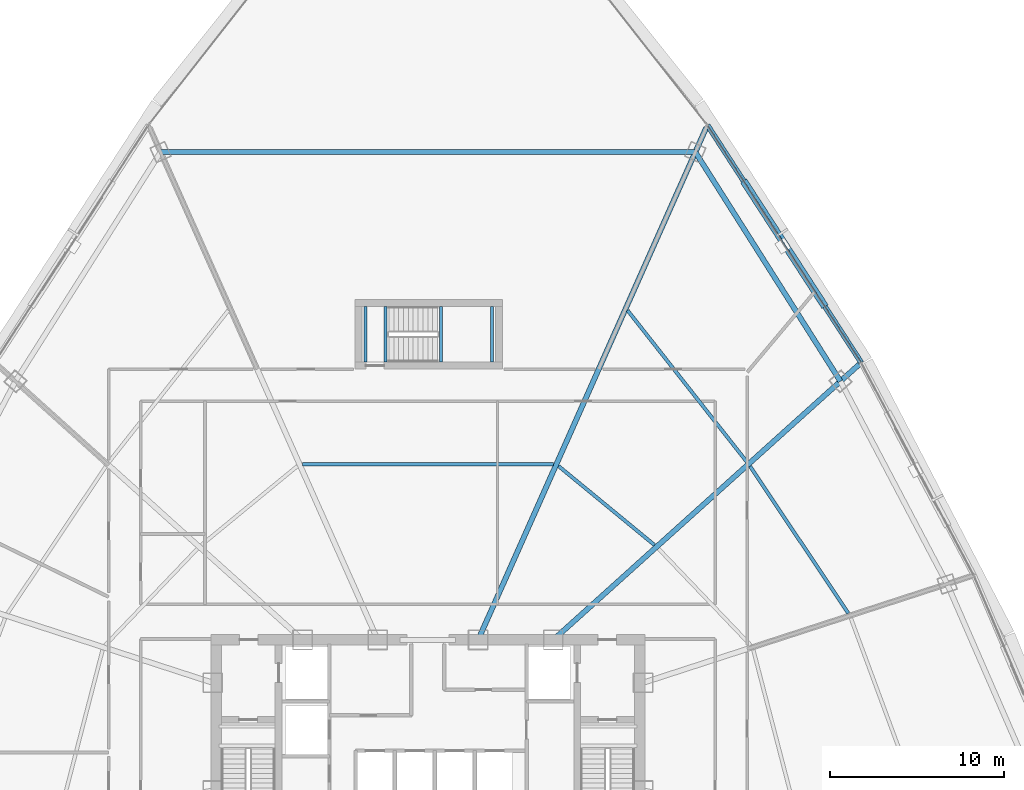
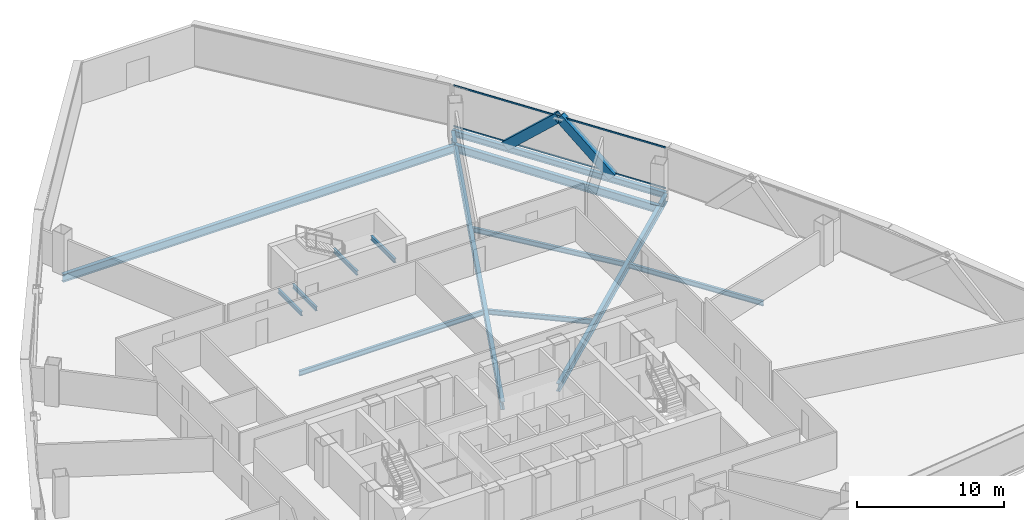
# One storey, part 19 of 39: 13 beams, 4 members, 1 element without a shape of its own.
"""IFC4 building model written with IfcOpenShell, lengths in metres."""

from ifc_helpers import new_model, si_unit, direction, frame, origin, origin_2d, place, context, subcontext, project, spatial, hollow_rectangle, i_section, extrude, source, transform, mapped, material, layer, layer_set, material_profile, profile_set, type_object, element, aggregate, save


model = new_model("IFC4")

# Units and contexts
model_context = context("Model", 3, precision=1e-05, world=origin(), true_north=direction((0.0, 1.0)))
body_context = subcontext(model_context, "Body", "Model", "MODEL_VIEW")
ifc_project = project(units=[si_unit("LENGTHUNIT", "METRE"), si_unit("AREAUNIT", "SQUARE_METRE"), si_unit("VOLUMEUNIT", "CUBIC_METRE"), si_unit("PLANEANGLEUNIT", "RADIAN"), si_unit("MASSUNIT", "GRAM", prefix="KILO"), si_unit("THERMODYNAMICTEMPERATUREUNIT", "KELVIN"), si_unit("POWERUNIT", "WATT")], contexts=[model_context])

# Site, building, storey
site_placement = place(None, origin())
site = spatial("IfcSite", under=ifc_project, at=site_placement, CompositionType="ELEMENT")
building_placement = place(site_placement, origin())
building = spatial("IfcBuilding", under=site, at=building_placement, Name="Yunzhuo Pagoda Commons", CompositionType="ELEMENT")
storey_placement = place(building_placement, frame((0.0, 0.0, 148.22998046875)))
storey = spatial("IfcBuildingStorey", under=building, at=storey_placement, Name="L37", CompositionType="ELEMENT", Elevation=148.22998046875)

# Beams
ifc_material_1 = material(Name="Structural steel Q355B", Category="steel")
ifc_material_profile_1 = material_profile(ifc_material_1, i_section(OverallWidth=0.175048828125, OverallDepth=0.35009765625, WebThickness=0.007080078125, FlangeThickness=0.010986328125, at=origin_2d()), Name="Structural steel Q355B")
ifc_profile_set_1 = profile_set([ifc_material_profile_1], Name="Structural steel Q355B")
beam_type_1 = type_object("IfcBeamType", Name="B-JS2 Joist HN 350x175x7x11", PredefinedType="JOIST", material=ifc_profile_set_1)
shared_shape_1 = source(origin(), body_context, "Body", "SweptSolid", [
    extrude(i_section(OverallWidth=0.175048828125, OverallDepth=0.35009765625, WebThickness=0.007080078125, FlangeThickness=0.010986328125, at=origin_2d()), origin(), (0.0, 0.0, 1.0), 3.199951171875),
])
for number, where, z_axis, x_axis, name in (
    (1, (48.75, 56.199951171875, 1.465087890625), (0.0, 1.0, 0.0), (-1.0, 0.0, 0.0), "L37 ST3 landing support beam 43A"),
    (2, (51.699951171875, 56.199951171875, 1.465087890625), (0.0, 1.0, 0.0), (-1.0, 0.0, 0.0), "L37 ST3 landing support beam 43B"),
    (3, (44.39990234375, 56.199951171875, -0.374755859375), (0.0, 1.0, 0.0), (-1.0, 0.0, 0.0), "L37 ST3 landing support beam 111A"),
    (4, (45.550048828125, 56.199951171875, -0.374755859375), (0.0, 1.0, 0.0), (-1.0, 0.0, 0.0), "L37 ST3 landing support beam 111B"),
):
    element("IfcBeam", number, at=place(storey_placement, frame(where, z_axis=z_axis, x_axis=x_axis)), inside=storey, type_object=beam_type_1, Name=name, PredefinedType="JOIST", context=body_context, shape_type="MappedRepresentation", body=[
        mapped(shared_shape_1, transform((0.0, 0.0, 0.0), scale=1.0)),
    ])
ifc_material_profile_2 = material_profile(ifc_material_1, i_section(OverallWidth=0.199951171875, OverallDepth=0.39990234375, WebThickness=0.008056640625, FlangeThickness=0.012939453125, at=origin_2d()), Name="Structural steel Q355B")
ifc_profile_set_2 = profile_set([ifc_material_profile_2], Name="Structural steel Q355B")
beam_type_2 = type_object("IfcBeamType", Name="B-JS1 Joist HN 400x200x8x13", PredefinedType="JOIST", material=ifc_profile_set_2)
shared_shape_2 = source(origin(), body_context, "Body", "SweptSolid", [
    extrude(i_section(OverallWidth=0.199951171875, OverallDepth=0.39990234375, WebThickness=0.008056640625, FlangeThickness=0.012939453125, at=origin_2d()), origin(), (0.0, 0.0, 1.0), 10.186767578125),
])
beam_1_placement = place(storey_placement, frame((72.221923828125, 41.731201171875, -0.459716796875), z_axis=(-0.555872145938, 0.831267801235, 0.0), x_axis=(-0.831267801235, -0.555872145938, 0.0)))
element("IfcBeam", 5, at=beam_1_placement, inside=storey, type_object=beam_type_2, Name="L37 composite ring joist 2.6", PredefinedType="JOIST", context=body_context, shape_type="MappedRepresentation", body=[
    mapped(shared_shape_2, transform((0.0, 0.0, 0.0), scale=1.0)),
])
ifc_material_profile_3 = material_profile(ifc_material_1, i_section(OverallWidth=0.300048828125, OverallDepth=0.64990234375, WebThickness=0.012939453125, FlangeThickness=0.02197265625, at=origin_2d()), Name="Structural steel Q355B")
ifc_profile_set_3 = profile_set([ifc_material_profile_3], Name="Structural steel Q355B")
beam_type_3 = type_object("IfcBeamType", Name="B-RG2 Beam HN 650x300x13x22", PredefinedType="BEAM", material=ifc_profile_set_3)
shared_shape_3 = source(origin(), body_context, "Body", "SweptSolid", [
    extrude(i_section(OverallWidth=0.300048828125, OverallDepth=0.64990234375, WebThickness=0.012939453125, FlangeThickness=0.02197265625, at=origin_2d()), origin(), (0.0, 0.0, 1.0), 15.627685546875),
])
beam_2_placement = place(storey_placement, frame((71.76611328125, 55.09912109375, -0.584716796875), z_axis=(-0.534952471728, 0.844882153316, 0.0), x_axis=(-0.844882153316, -0.534952471728, 0.0)))
element("IfcBeam", 6, at=beam_2_placement, inside=storey, type_object=beam_type_3, Name="L37 column-ring beam 7", PredefinedType="BEAM", context=body_context, shape_type="MappedRepresentation", body=[
    mapped(shared_shape_3, transform((0.0, 0.0, 0.0), scale=1.0)),
])
shared_shape_4 = source(origin(), body_context, "Body", "SweptSolid", [
    extrude(i_section(OverallWidth=0.199951171875, OverallDepth=0.39990234375, WebThickness=0.008056640625, FlangeThickness=0.012939453125, at=origin_2d()), origin(), (0.0, 0.0, 1.0), 7.163818359375),
])
beam_3_placement = place(storey_placement, frame((61.05322265625, 45.664794921875, -0.459716796875), z_axis=(-0.772234119563, 0.635338071095, 0.0), x_axis=(-0.635338071095, -0.772234119563, 0.0)))
element("IfcBeam", 7, at=beam_3_placement, inside=storey, type_object=beam_type_2, Name="L37 composite ring joist 1.7", PredefinedType="JOIST", context=body_context, shape_type="MappedRepresentation", body=[
    mapped(shared_shape_4, transform((0.0, 0.0, 0.0), scale=1.0)),
])
shared_shape_5 = source(origin(), body_context, "Body", "SweptSolid", [
    extrude(i_section(OverallWidth=0.199951171875, OverallDepth=0.39990234375, WebThickness=0.008056640625, FlangeThickness=0.012939453125, at=origin_2d()), origin(), (0.0, 0.0, 1.0), 11.109375),
])
beam_4_placement = place(storey_placement, frame((66.372802734375, 50.456298828125, -0.459716796875), z_axis=(-0.618600596935, 0.785705607382, 0.0), x_axis=(-0.785705607382, -0.618600596935, 0.0)))
element("IfcBeam", 8, at=beam_4_placement, inside=storey, type_object=beam_type_2, Name="L37 composite ring joist 2.7", PredefinedType="JOIST", context=body_context, shape_type="MappedRepresentation", body=[
    mapped(shared_shape_5, transform((0.0, 0.0, 0.0), scale=1.0)),
])
shared_shape_6 = source(origin(), body_context, "Body", "SweptSolid", [
    extrude(i_section(OverallWidth=0.300048828125, OverallDepth=0.64990234375, WebThickness=0.012939453125, FlangeThickness=0.02197265625, at=origin_2d()), origin(), (0.0, 0.0, 1.0), 30.81201171875),
])
beam_5_placement = place(storey_placement, frame((63.406005859375, 68.302734375, -0.584716796875), z_axis=(-1.0, 0.0, 0.0), x_axis=(0.0, -1.0, 0.0)))
element("IfcBeam", 9, at=beam_5_placement, inside=storey, type_object=beam_type_3, Name="L37 column-ring beam 8", PredefinedType="BEAM", context=body_context, shape_type="MappedRepresentation", body=[
    mapped(shared_shape_6, transform((0.0, 0.0, 0.0), scale=1.0)),
])
shared_shape_7 = source(origin(), body_context, "Body", "SweptSolid", [
    extrude(i_section(OverallWidth=0.199951171875, OverallDepth=0.39990234375, WebThickness=0.008056640625, FlangeThickness=0.012939453125, at=origin_2d()), origin(), (0.0, 0.0, 1.0), 14.47900390625),
])
beam_6_placement = place(storey_placement, frame((55.239501953125, 50.317138671875, -0.459716796875), z_axis=(-1.0, 0.0, 0.0), x_axis=(0.0, -1.0, 0.0)))
element("IfcBeam", 10, at=beam_6_placement, inside=storey, type_object=beam_type_2, Name="L37 composite ring joist 1.8", PredefinedType="JOIST", context=body_context, shape_type="MappedRepresentation", body=[
    mapped(shared_shape_7, transform((0.0, 0.0, 0.0), scale=1.0)),
])
shared_shape_8 = source(origin(), body_context, "Body", "SweptSolid", [
    extrude(i_section(OverallWidth=0.300048828125, OverallDepth=0.64990234375, WebThickness=0.012939453125, FlangeThickness=0.02197265625, at=origin_2d()), origin(), (0.0, 0.0, 1.0), 23.724365234375),
])
beam_7_placement = place(storey_placement, frame((72.849609375, 56.07470703125, -0.584716796875), z_axis=(-0.74314317805, -0.669132436008, 0.0), x_axis=(0.669132436008, -0.74314317805, 0.0)))
element("IfcBeam", 11, at=beam_7_placement, inside=storey, type_object=beam_type_3, Name="L37 radial floor girder F2C3", PredefinedType="BEAM", context=body_context, shape_type="MappedRepresentation", body=[
    mapped(shared_shape_8, transform((0.0, 0.0, 0.0), scale=1.0)),
])
shared_shape_9 = source(origin(), body_context, "Body", "SweptSolid", [
    extrude(i_section(OverallWidth=0.300048828125, OverallDepth=0.64990234375, WebThickness=0.012939453125, FlangeThickness=0.02197265625, at=origin_2d()), origin(), (0.0, 0.0, 1.0), 32.3154296875),
])
beam_8_placement = place(storey_placement, frame((64.037841796875, 69.7216796875, -0.584716796875), z_axis=(-0.406733504059, -0.913546855217, 0.0), x_axis=(0.913546855217, -0.406733504059, 0.0)))
element("IfcBeam", 12, at=beam_8_placement, inside=storey, type_object=beam_type_3, Name="L37 radial floor girder F2C4", PredefinedType="BEAM", context=body_context, shape_type="MappedRepresentation", body=[
    mapped(shared_shape_9, transform((0.0, 0.0, 0.0), scale=1.0)),
])
ifc_material_profile_4 = material_profile(ifc_material_1, i_section(OverallWidth=0.300048828125, OverallDepth=0.488037109375, WebThickness=0.010986328125, FlangeThickness=0.01806640625, at=origin_2d()), Name="Structural steel Q355B")
ifc_profile_set_4 = profile_set([ifc_material_profile_4], Name="Structural steel Q355B")
beam_type_4 = type_object("IfcBeamType", Name="B-SP1 Beam HM 488x300x11x18", PredefinedType="BEAM", material=ifc_profile_set_4)
shared_shape_10 = source(origin(), body_context, "Body", "SweptSolid", [
    extrude(i_section(OverallWidth=0.300048828125, OverallDepth=0.488037109375, WebThickness=0.010986328125, FlangeThickness=0.01806640625, at=origin_2d()), origin(), (0.0, 0.0, 1.0), 16.3046875),
])
beam_9_placement = place(storey_placement, frame((72.964599609375, 56.17822265625, -0.50390625), z_axis=(-0.543635534305, 0.839321396034, 0.0), x_axis=(-0.839321396034, -0.543635534305, 0.0)))
element("IfcBeam", 13, at=beam_9_placement, inside=storey, type_object=beam_type_4, Name="L37 facade edge spandrel beam F2.3", PredefinedType="BEAM", context=body_context, shape_type="MappedRepresentation", body=[
    mapped(shared_shape_10, transform((0.0, 0.0, 0.0), scale=1.0)),
])

# Members
ifc_material_2 = material(Name="Structural steel Q420B", Category="steel")
ifc_material_profile_5 = material_profile(ifc_material_2, hollow_rectangle(XDim=0.419921875, YDim=0.719970703125, WallThickness=0.028076171875, at=origin_2d()), Name="Structural steel Q420B")
ifc_profile_set_5 = profile_set([ifc_material_profile_5], Name="Structural steel Q420B")
member_type_1 = type_object("IfcMemberType", Name="M-DL1 Brace BOX 720x420x28", PredefinedType="BRACE", material=ifc_profile_set_5)
shared_shape_11 = source(origin(), body_context, "Body", "SweptSolid", [
    extrude(hollow_rectangle(XDim=0.419921875, YDim=0.719970703125, WallThickness=0.028076171875, at=origin_2d()), origin(), (0.0, 0.0, 1.0), 5.491455078125),
])
for number, where, z_axis, x_axis, name in (
    (14, (70.748779296875, 59.599609375, -0.260009765625), (-0.403541238803, 0.622983736846, 0.670108746555), (-0.839303305755, -0.543663462952, 0.0), "L37 facade diamond brace F2.3L"),
    (15, (66.317138671875, 66.442138671875, -0.260009765625), (0.403455623826, -0.623033290611, 0.67011422787), (0.8393756621, 0.543551743511, 0.0), "L37 facade diamond brace F2.3R"),
):
    element("IfcMember", number, at=place(storey_placement, frame(where, z_axis=z_axis, x_axis=x_axis)), inside=storey, type_object=member_type_1, Name=name, PredefinedType="BRACE", context=body_context, shape_type="MappedRepresentation", body=[
        mapped(shared_shape_11, transform((0.0, 0.0, 0.0), scale=1.0)),
    ])

# Curtain wall, members
ifc_material_3 = material(Name="Anodized aluminium 6063-T6", Category="aluminium")
ifc_layer = layer(ifc_material_3, 0.14990234375)
ifc_layer_set = layer_set([ifc_layer], Name="Anodized aluminium 6063-T6")
curtain_wall_type = type_object("IfcCurtainWallType", Name="CW-MID Mid-Zone Ribbon Curtain Wall", PredefinedType="NOTDEFINED", material=ifc_layer_set)
curtain_wall_placement = place(storey_placement, origin())
curtain_wall = element("IfcCurtainWall", 16, at=curtain_wall_placement, inside=storey, type_object=curtain_wall_type, Name="L37 curtain wall CW-L37-F2B4", PredefinedType="NOTDEFINED")
ifc_material_profile_6 = material_profile(ifc_material_3, hollow_rectangle(XDim=0.054931640625, YDim=0.1298828125, WallThickness=0.00341796875, at=origin_2d()), Name="Anodized aluminium 6063-T6")
ifc_profile_set_6 = profile_set([ifc_material_profile_6], Name="Anodized aluminium 6063-T6")
member_type_2 = type_object("IfcMemberType", Name="CW-MID-T Transom RHS 130x55x3.5", PredefinedType="USERDEFINED", material=ifc_profile_set_6)
shared_shape_12 = source(origin(), body_context, "Body", "SweptSolid", [
    extrude(hollow_rectangle(XDim=0.054931640625, YDim=0.1298828125, WallThickness=0.00341796875, at=origin_2d()), origin(), (0.0, 0.0, 1.0), 16.1845703125),
])
member_1_placement = place(storey_placement, frame((72.93212890625, 56.228759765625, 0.027587890625), z_axis=(-0.543640885625, 0.839317929915, 0.0), x_axis=(-0.839317929915, -0.543640885625, 0.0)))
member_1 = element("IfcMember", 17, at=member_1_placement, type_object=member_type_2, Name="CW transom 1.1", ObjectType="TRANSOM", PredefinedType="USERDEFINED", context=body_context, shape_type="MappedRepresentation", body=[
    mapped(shared_shape_12, transform((0.0, 0.0, 0.0), scale=1.0)),
])
member_2_placement = place(storey_placement, frame((72.93212890625, 56.228759765625, 3.392578125), z_axis=(-0.543640885625, 0.839317929915, 0.0), x_axis=(-0.839317929915, -0.543640885625, 0.0)))
member_2 = element("IfcMember", 18, at=member_2_placement, type_object=member_type_2, Name="CW transom 1.2", ObjectType="TRANSOM", PredefinedType="USERDEFINED", context=body_context, shape_type="MappedRepresentation", body=[
    mapped(shared_shape_12, transform((0.0, 0.0, 0.0), scale=1.0)),
])
aggregate(curtain_wall, [member_1, member_2])

save(model, "model.ifc")
